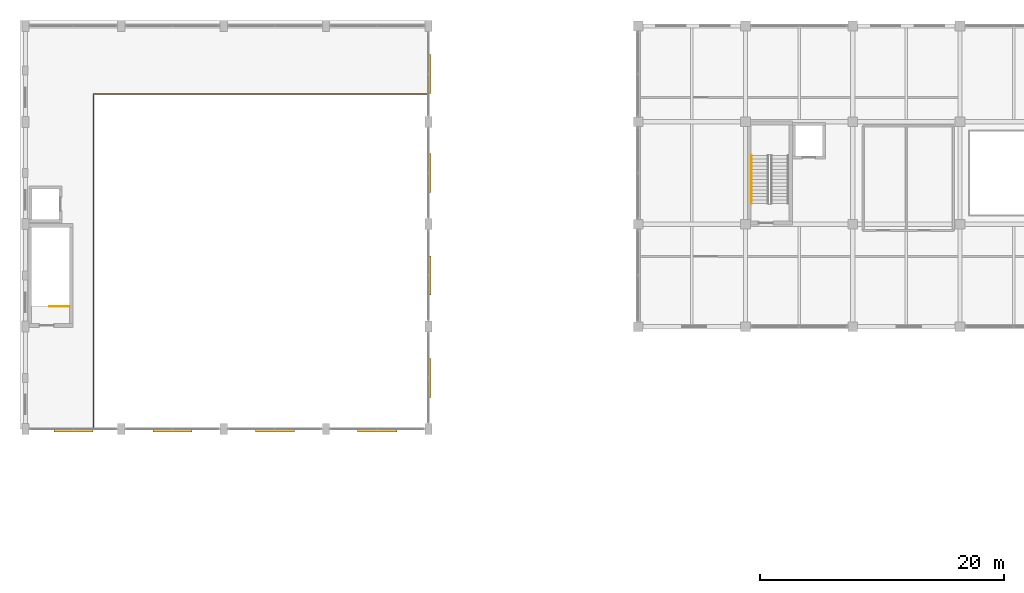
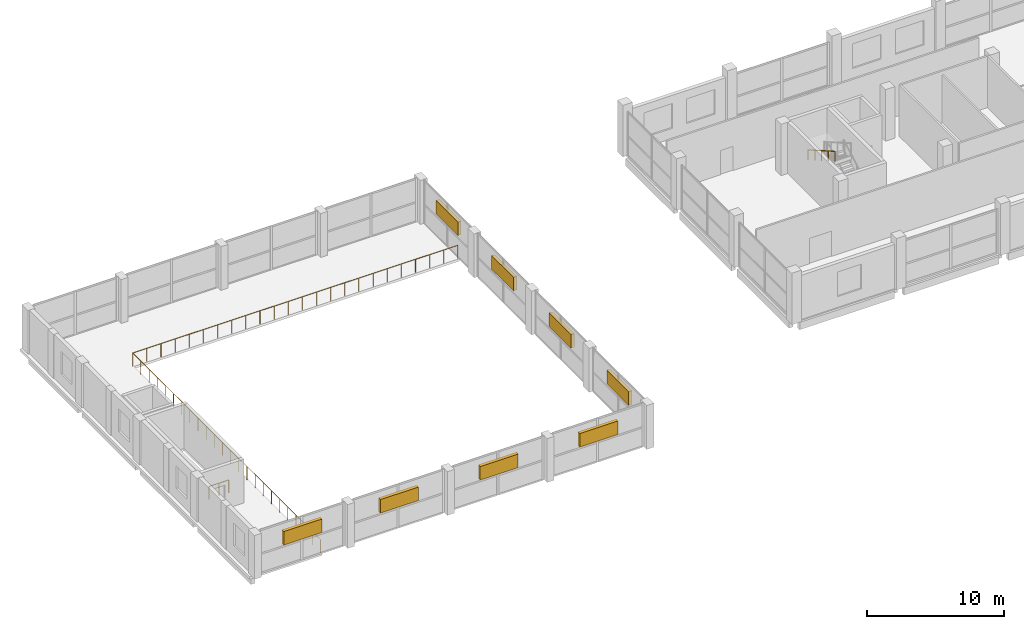
# One storey, part 27 of 31: 8 shading devices, 3 railings.
"""IFC4 building model written with IfcOpenShell, lengths in metres."""

from ifc_helpers import new_model, si_unit, direction, frame, origin, origin_2d, place, context, subcontext, project, spatial, rectangle, circle, extrude, material, type_object, element, save


model = new_model("IFC4")

# Units and contexts
model_context = context("Model", 3, precision=1e-05, world=origin(), true_north=direction((0.0, 1.0)))
body_context = subcontext(model_context, "Body", "Model", "MODEL_VIEW")
ifc_project = project(units=[si_unit("LENGTHUNIT", "METRE"), si_unit("AREAUNIT", "SQUARE_METRE"), si_unit("VOLUMEUNIT", "CUBIC_METRE"), si_unit("PLANEANGLEUNIT", "RADIAN"), si_unit("MASSUNIT", "GRAM", prefix="KILO")], contexts=[model_context])

# Site, building, storey
site_placement = place(None, origin())
site = spatial("IfcSite", under=ifc_project, at=site_placement, CompositionType="ELEMENT")
building_placement = place(site_placement, origin())
building = spatial("IfcBuilding", under=site, at=building_placement, Name="Brinegate Botanical Conservatory", CompositionType="ELEMENT")
storey_placement = place(building_placement, frame((0.0, 0.0, 5.39990234375)))
storey = spatial("IfcBuildingStorey", under=building, at=storey_placement, Name="L02", CompositionType="ELEMENT", Elevation=5.39990234375)

# Railings
ifc_material_1 = material(Name="Structural steel Q355B / S355 and laminated glass balustrade", Category="steel")
railing_type_1 = type_object("IfcRailingType", Name="Rail_INT-BAL", PredefinedType="BALUSTRADE", material=ifc_material_1)
railing_1_placement = place(storey_placement, frame((6.1201171875, 78.47998046875, 0.0)))
element("IfcRailing", 1, at=railing_1_placement, inside=storey, type_object=railing_type_1, Name="Conservatory L02 canopy viewing gallery balustrade", PredefinedType="BALUSTRADE", context=body_context, shape_type="SweptSolid", body=[
    extrude(circle(Radius=0.02392578125, at=origin_2d()), frame((0.0, 0.0, 1.17578125), z_axis=(0.0, 1.0, 0.0), x_axis=(-1.0, 0.0, 0.0)), (0.0, 0.0, 1.0), 27.39990234375),
    extrude(circle(Radius=0.02392578125, at=origin_2d()), frame((0.0, 27.39990234375, 1.17578125), z_axis=(1.0, 0.0, 0.0), x_axis=(0.0, 1.0, 0.0)), (0.0, 0.0, 1.0), 27.39990234375),
    extrude(circle(Radius=0.02099609375, at=origin_2d()), origin(), (0.0, 0.0, 1.0), 1.15185546875),
    extrude(circle(Radius=0.02099609375, at=origin_2d()), frame((0.0, 1.19140625, 0.0)), (0.0, 0.0, 1.0), 1.15185546875),
    extrude(circle(Radius=0.02099609375, at=origin_2d()), frame((0.0, 2.382568359375, 0.0)), (0.0, 0.0, 1.0), 1.15185546875),
    extrude(circle(Radius=0.02099609375, at=origin_2d()), frame((0.0, 3.573974609375, 0.0)), (0.0, 0.0, 1.0), 1.15185546875),
    extrude(circle(Radius=0.02099609375, at=origin_2d()), frame((0.0, 4.76513671875, 0.0)), (0.0, 0.0, 1.0), 1.15185546875),
    extrude(circle(Radius=0.02099609375, at=origin_2d()), frame((0.0, 5.95654296875, 0.0)), (0.0, 0.0, 1.0), 1.15185546875),
    extrude(circle(Radius=0.02099609375, at=origin_2d()), frame((0.0, 7.147705078125, 0.0)), (0.0, 0.0, 1.0), 1.15185546875),
    extrude(circle(Radius=0.02099609375, at=origin_2d()), frame((0.0, 8.339111328125, 0.0)), (0.0, 0.0, 1.0), 1.15185546875),
    extrude(circle(Radius=0.02099609375, at=origin_2d()), frame((0.0, 9.530517578125, 0.0)), (0.0, 0.0, 1.0), 1.15185546875),
    extrude(circle(Radius=0.02099609375, at=origin_2d()), frame((0.0, 10.7216796875, 0.0)), (0.0, 0.0, 1.0), 1.15185546875),
    extrude(circle(Radius=0.02099609375, at=origin_2d()), frame((0.0, 11.9130859375, 0.0)), (0.0, 0.0, 1.0), 1.15185546875),
    extrude(circle(Radius=0.02099609375, at=origin_2d()), frame((0.0, 13.104248046875, 0.0)), (0.0, 0.0, 1.0), 1.15185546875),
    extrude(circle(Radius=0.02099609375, at=origin_2d()), frame((0.0, 14.295654296875, 0.0)), (0.0, 0.0, 1.0), 1.15185546875),
    extrude(circle(Radius=0.02099609375, at=origin_2d()), frame((0.0, 15.48681640625, 0.0)), (0.0, 0.0, 1.0), 1.15185546875),
    extrude(circle(Radius=0.02099609375, at=origin_2d()), frame((0.0, 16.67822265625, 0.0)), (0.0, 0.0, 1.0), 1.15185546875),
    extrude(circle(Radius=0.02099609375, at=origin_2d()), frame((0.0, 17.869384765625, 0.0)), (0.0, 0.0, 1.0), 1.15185546875),
    extrude(circle(Radius=0.02099609375, at=origin_2d()), frame((0.0, 19.060791015625, 0.0)), (0.0, 0.0, 1.0), 1.15185546875),
    extrude(circle(Radius=0.02099609375, at=origin_2d()), frame((0.0, 20.252197265625, 0.0)), (0.0, 0.0, 1.0), 1.15185546875),
    extrude(circle(Radius=0.02099609375, at=origin_2d()), frame((0.0, 21.443359375, 0.0)), (0.0, 0.0, 1.0), 1.15185546875),
    extrude(circle(Radius=0.02099609375, at=origin_2d()), frame((0.0, 22.634765625, 0.0)), (0.0, 0.0, 1.0), 1.15185546875),
    extrude(circle(Radius=0.02099609375, at=origin_2d()), frame((0.0, 23.825927734375, 0.0)), (0.0, 0.0, 1.0), 1.15185546875),
    extrude(circle(Radius=0.02099609375, at=origin_2d()), frame((0.0, 25.017333984375, 0.0)), (0.0, 0.0, 1.0), 1.15185546875),
    extrude(circle(Radius=0.02099609375, at=origin_2d()), frame((0.0, 26.20849609375, 0.0)), (0.0, 0.0, 1.0), 1.15185546875),
    extrude(circle(Radius=0.02099609375, at=origin_2d()), frame((0.0, 27.39990234375, 0.0)), (0.0, 0.0, 1.0), 1.15185546875),
    extrude(circle(Radius=0.02099609375, at=origin_2d()), frame((1.19140625, 27.39990234375, 0.0)), (0.0, 0.0, 1.0), 1.15185546875),
    extrude(circle(Radius=0.02099609375, at=origin_2d()), frame((2.382568359375, 27.39990234375, 0.0)), (0.0, 0.0, 1.0), 1.15185546875),
    extrude(circle(Radius=0.02099609375, at=origin_2d()), frame((3.573974609375, 27.39990234375, 0.0)), (0.0, 0.0, 1.0), 1.15185546875),
    extrude(circle(Radius=0.02099609375, at=origin_2d()), frame((4.76513671875, 27.39990234375, 0.0)), (0.0, 0.0, 1.0), 1.15185546875),
    extrude(circle(Radius=0.02099609375, at=origin_2d()), frame((5.95654296875, 27.39990234375, 0.0)), (0.0, 0.0, 1.0), 1.15185546875),
    extrude(circle(Radius=0.02099609375, at=origin_2d()), frame((7.147705078125, 27.39990234375, 0.0)), (0.0, 0.0, 1.0), 1.15185546875),
    extrude(circle(Radius=0.02099609375, at=origin_2d()), frame((8.339111328125, 27.39990234375, 0.0)), (0.0, 0.0, 1.0), 1.15185546875),
    extrude(circle(Radius=0.02099609375, at=origin_2d()), frame((9.530517578125, 27.39990234375, 0.0)), (0.0, 0.0, 1.0), 1.15185546875),
    extrude(circle(Radius=0.02099609375, at=origin_2d()), frame((10.7216796875, 27.39990234375, 0.0)), (0.0, 0.0, 1.0), 1.15185546875),
    extrude(circle(Radius=0.02099609375, at=origin_2d()), frame((11.9130859375, 27.39990234375, 0.0)), (0.0, 0.0, 1.0), 1.15185546875),
    extrude(circle(Radius=0.02099609375, at=origin_2d()), frame((13.104248046875, 27.39990234375, 0.0)), (0.0, 0.0, 1.0), 1.15185546875),
    extrude(circle(Radius=0.02099609375, at=origin_2d()), frame((14.295654296875, 27.39990234375, 0.0)), (0.0, 0.0, 1.0), 1.15185546875),
    extrude(circle(Radius=0.02099609375, at=origin_2d()), frame((15.48681640625, 27.39990234375, 0.0)), (0.0, 0.0, 1.0), 1.15185546875),
    extrude(circle(Radius=0.02099609375, at=origin_2d()), frame((16.67822265625, 27.39990234375, 0.0)), (0.0, 0.0, 1.0), 1.15185546875),
    extrude(circle(Radius=0.02099609375, at=origin_2d()), frame((17.869384765625, 27.39990234375, 0.0)), (0.0, 0.0, 1.0), 1.15185546875),
    extrude(circle(Radius=0.02099609375, at=origin_2d()), frame((19.060791015625, 27.39990234375, 0.0)), (0.0, 0.0, 1.0), 1.15185546875),
    extrude(circle(Radius=0.02099609375, at=origin_2d()), frame((20.252197265625, 27.39990234375, 0.0)), (0.0, 0.0, 1.0), 1.15185546875),
    extrude(circle(Radius=0.02099609375, at=origin_2d()), frame((21.443359375, 27.39990234375, 0.0)), (0.0, 0.0, 1.0), 1.15185546875),
    extrude(circle(Radius=0.02099609375, at=origin_2d()), frame((22.634765625, 27.39990234375, 0.0)), (0.0, 0.0, 1.0), 1.15185546875),
    extrude(circle(Radius=0.02099609375, at=origin_2d()), frame((23.825927734375, 27.39990234375, 0.0)), (0.0, 0.0, 1.0), 1.15185546875),
    extrude(circle(Radius=0.02099609375, at=origin_2d()), frame((25.017333984375, 27.39990234375, 0.0)), (0.0, 0.0, 1.0), 1.15185546875),
    extrude(circle(Radius=0.02099609375, at=origin_2d()), frame((26.20849609375, 27.39990234375, 0.0)), (0.0, 0.0, 1.0), 1.15185546875),
    extrude(circle(Radius=0.02099609375, at=origin_2d()), frame((27.39990234375, 27.39990234375, 0.0)), (0.0, 0.0, 1.0), 1.15185546875),
])
ifc_material_2 = material(Name="Structural steel Q355B / S355 painted tubular guardrail", Category="steel")
railing_type_2 = type_object("IfcRailingType", Name="Rail_ST-GRD", PredefinedType="GUARDRAIL", material=ifc_material_2)
railing_2_placement = place(storey_placement, frame((4.14990234375, 88.449951171875, 0.0)))
element("IfcRailing", 2, at=railing_2_placement, inside=storey, type_object=railing_type_2, Name="L02 ST7 top well guard 1", PredefinedType="GUARDRAIL", context=body_context, shape_type="SweptSolid", body=[
    extrude(circle(Radius=0.02392578125, at=origin_2d()), frame((0.0, 0.0, 1.1259765625), z_axis=(-1.0, 0.0, 0.0), x_axis=(0.0, -1.0, 0.0)), (0.0, 0.0, 1.0), 1.64990234375),
    extrude(circle(Radius=0.02099609375, at=origin_2d()), origin(), (0.0, 0.0, 1.0), 1.101806640625),
    extrude(circle(Radius=0.02099609375, at=origin_2d()), frame((-0.824951171875, 0.0, 0.0)), (0.0, 0.0, 1.0), 1.101806640625),
    extrude(circle(Radius=0.02099609375, at=origin_2d()), frame((-1.64990234375, 0.0, 0.0)), (0.0, 0.0, 1.0), 1.101806640625),
])
ifc_material_3 = material(Name="Brushed stainless steel S355 handrail", Category="steel")
railing_type_3 = type_object("IfcRailingType", Name="Rail_ST-HND", PredefinedType="HANDRAIL", material=ifc_material_3)
railing_3_placement = place(storey_placement, frame((60.10009765625, 100.820068359375, 2.56005859375)))
element("IfcRailing", 3, at=railing_3_placement, inside=storey, type_object=railing_type_3, Name="L02 ST3 stair handrail 2", PredefinedType="HANDRAIL", context=body_context, shape_type="SweptSolid", body=[
    extrude(circle(Radius=0.02392578125, at=origin_2d()), frame((0.0, 0.0, 0.8759765625), z_axis=(0.0, -0.86825312469, 0.496121468458), x_axis=(1.0, 0.0, 0.0)), (0.0, 0.0, 1.0), 4.514892578125),
    extrude(circle(Radius=0.02099609375, at=origin_2d()), origin(), (0.0, 0.0, 1.0), 0.851806640625),
    extrude(circle(Radius=0.02099609375, at=origin_2d()), frame((0.0, -0.97998046875, 0.56005859375)), (0.0, 0.0, 1.0), 0.851806640625),
    extrude(circle(Radius=0.02099609375, at=origin_2d()), frame((0.0, -1.9599609375, 1.1201171875)), (0.0, 0.0, 1.0), 0.851806640625),
    extrude(circle(Radius=0.02099609375, at=origin_2d()), frame((0.0, -2.940185546875, 1.679931640625)), (0.0, 0.0, 1.0), 0.851806640625),
    extrude(circle(Radius=0.02099609375, at=origin_2d()), frame((0.0, -3.920166015625, 2.239990234375)), (0.0, 0.0, 1.0), 0.851806640625),
])

# Shading devices
ifc_material_4 = material(Name="Anodised aluminium AW-6063-T6 storm louvres", Category="aluminium")
shading_device_type = type_object("IfcShadingDeviceType", Name="Shade_SLV-01", PredefinedType="JALOUSIE", material=ifc_material_4)
for number, where, z_axis, x_axis, name in (
    (4, (4.47509765625, 78.320068359375, 2.0), (0.0, 0.0, 1.0), (1.0, 0.0, 0.0), "Conservatory south storm louvre L02.1"),
    (5, (12.60009765625, 78.320068359375, 2.0), (0.0, 0.0, 1.0), (1.0, 0.0, 0.0), "Conservatory south storm louvre L02.2"),
    (6, (21.0, 78.320068359375, 2.0), (0.0, 0.0, 1.0), (1.0, 0.0, 0.0), "Conservatory south storm louvre L02.3"),
    (7, (29.39990234375, 78.320068359375, 2.0), (0.0, 0.0, 1.0), (1.0, 0.0, 0.0), "Conservatory south storm louvre L02.4"),
):
    element("IfcShadingDevice", number, at=place(storey_placement, frame(where, z_axis=z_axis, x_axis=x_axis)), inside=storey, type_object=shading_device_type, Name=name, PredefinedType="JALOUSIE", context=body_context, shape_type="SweptSolid", body=[
        extrude(rectangle(XDim=3.199951171875, YDim=0.280029296875, at=origin_2d()), origin(), (0.0, 0.0, 1.0), 1.199951171875),
    ])
for number, where, z_axis, x_axis, name in (
    (8, (33.679931640625, 82.60009765625, 2.0), (0.0, 0.0, 1.0), (1.0, 0.0, 0.0), "Conservatory east storm louvre L02.1"),
    (9, (33.679931640625, 91.0, 2.0), (0.0, 0.0, 1.0), (1.0, 0.0, 0.0), "Conservatory east storm louvre L02.2"),
    (10, (33.679931640625, 99.39990234375, 2.0), (0.0, 0.0, 1.0), (1.0, 0.0, 0.0), "Conservatory east storm louvre L02.3"),
    (11, (33.679931640625, 107.52490234375, 2.0), (0.0, 0.0, 1.0), (1.0, 0.0, 0.0), "Conservatory east storm louvre L02.4"),
):
    element("IfcShadingDevice", number, at=place(storey_placement, frame(where, z_axis=z_axis, x_axis=x_axis)), inside=storey, type_object=shading_device_type, Name=name, PredefinedType="JALOUSIE", context=body_context, shape_type="SweptSolid", body=[
        extrude(rectangle(XDim=0.280029296875, YDim=3.199951171875, at=origin_2d()), origin(), (0.0, 0.0, 1.0), 1.199951171875),
    ])

save(model, "model.ifc")
